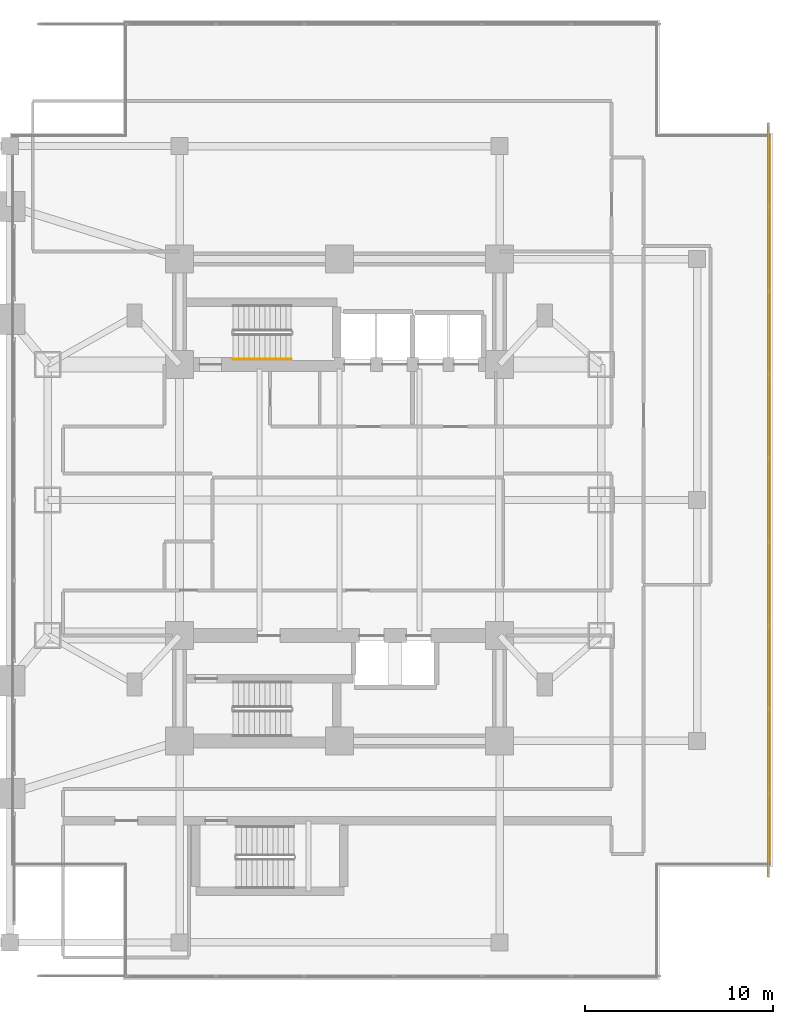
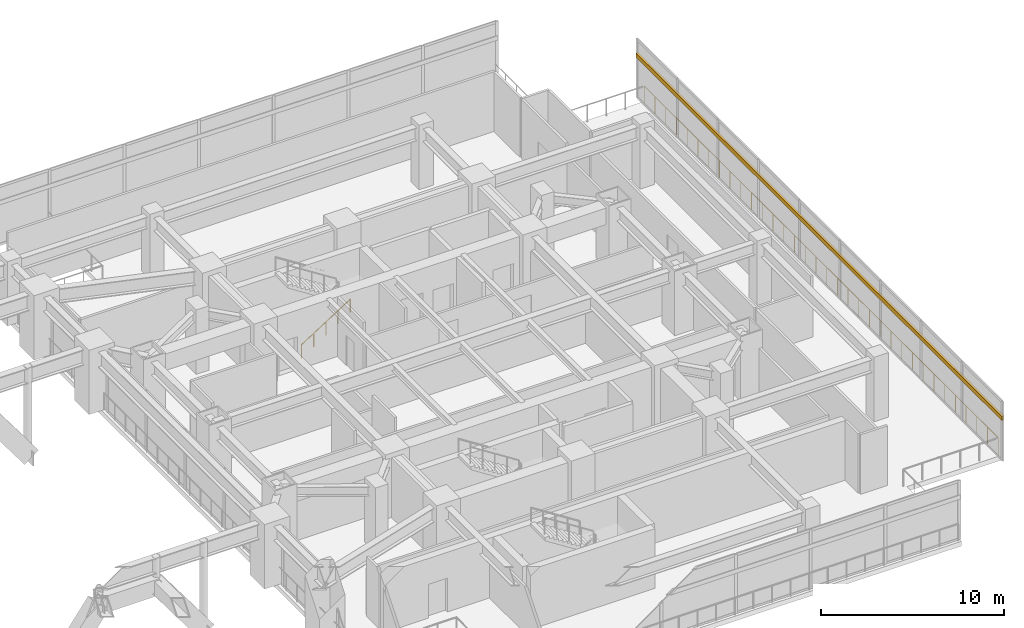
# One storey, part 28 of 30: 2 railings, 1 shading device.
"""IFC4 building model written with IfcOpenShell, lengths in metres."""

from ifc_helpers import new_model, si_unit, direction, frame, origin, origin_2d, place, context, subcontext, project, spatial, rectangle, circle, extrude, material, material_profile, profile_set, type_object, element, save


model = new_model("IFC4")

# Units and contexts
model_context = context("Model", 3, precision=1e-05, world=origin(), true_north=direction((0.0, 1.0)))
body_context = subcontext(model_context, "Body", "Model", "MODEL_VIEW")
ifc_project = project(units=[si_unit("LENGTHUNIT", "METRE"), si_unit("AREAUNIT", "SQUARE_METRE"), si_unit("VOLUMEUNIT", "CUBIC_METRE"), si_unit("PLANEANGLEUNIT", "RADIAN"), si_unit("MASSUNIT", "GRAM", prefix="KILO")], contexts=[model_context])

# Site, building, storey
site_placement = place(None, origin())
site = spatial("IfcSite", under=ifc_project, at=site_placement, CompositionType="ELEMENT")
building_placement = place(site_placement, origin())
building = spatial("IfcBuilding", under=site, at=building_placement, Name="Mirazonda Arch Towers", CompositionType="ELEMENT")
storey_placement = place(building_placement, frame((0.0, 0.0, 9.5)))
storey = spatial("IfcBuildingStorey", under=building, at=storey_placement, Name="L02", CompositionType="ELEMENT", Elevation=9.5)

# Shading device
ifc_material_1 = material(Name="Kiln-Fired Architectural Terracotta", Category="masonry")
ifc_material_profile = material_profile(ifc_material_1, rectangle(XDim=0.139892578125, YDim=0.280029296875, at=origin_2d()), Name="TERRA-BAG-140x280")
ifc_profile_set = profile_set([ifc_material_profile], Name="Kiln-Fired Architectural Terracotta")
shading_device_type = type_object("IfcShadingDeviceType", Name="BAGUETTE-3", PredefinedType="USERDEFINED", material=ifc_profile_set)
shading_device_placement = place(storey_placement, frame((99.280029296875, 8.0, 2.851318359375), z_axis=(0.0, 1.0, 0.0), x_axis=(-1.0, 0.0, 0.0)))
element("IfcShadingDevice", 1, at=shading_device_placement, inside=storey, type_object=shading_device_type, Name="L02 Glazed Terracotta Sun-Screen Baguette CW-L02-EE", ObjectType="BAGUETTE", PredefinedType="USERDEFINED", context=body_context, shape_type="SweptSolid", body=[
    extrude(rectangle(XDim=0.139892578125, YDim=0.280029296875, at=origin_2d()), origin(), (0.0, 0.0, 1.0), 40.0),
])

# Railings
ifc_material_2 = material(Name="Architectural Brushed Steel S355", Category="steel")
railing_type_1 = type_object("IfcRailingType", Name="GUARD-EXT-1150", PredefinedType="GUARDRAIL", material=ifc_material_2)
railing_1_placement = place(storey_placement, frame((99.360107421875, 8.639892578125, 0.0)))
element("IfcRailing", 2, at=railing_1_placement, inside=storey, type_object=railing_type_1, Name="L02 L02 East Podium Perimeter Guard 04", PredefinedType="GUARDRAIL", context=body_context, shape_type="SweptSolid", body=[
    extrude(circle(Radius=0.02392578125, at=origin_2d()), frame((0.0, 0.0, 1.1259765625), z_axis=(0.0, 1.0, 0.0), x_axis=(-1.0, 0.0, 0.0)), (0.0, 0.0, 1.0), 38.72021484375),
    extrude(circle(Radius=0.02099609375, at=origin_2d()), origin(), (0.0, 0.0, 1.0), 1.101806640625),
    extrude(circle(Radius=0.02099609375, at=origin_2d()), frame((0.0, 1.17333984375, 0.0)), (0.0, 0.0, 1.0), 1.101806640625),
    extrude(circle(Radius=0.02099609375, at=origin_2d()), frame((0.0, 2.3466796875, 0.0)), (0.0, 0.0, 1.0), 1.101806640625),
    extrude(circle(Radius=0.02099609375, at=origin_2d()), frame((0.0, 3.52001953125, 0.0)), (0.0, 0.0, 1.0), 1.101806640625),
    extrude(circle(Radius=0.02099609375, at=origin_2d()), frame((0.0, 4.693359375, 0.0)), (0.0, 0.0, 1.0), 1.101806640625),
    extrude(circle(Radius=0.02099609375, at=origin_2d()), frame((0.0, 5.86669921875, 0.0)), (0.0, 0.0, 1.0), 1.101806640625),
    extrude(circle(Radius=0.02099609375, at=origin_2d()), frame((0.0, 7.0400390625, 0.0)), (0.0, 0.0, 1.0), 1.101806640625),
    extrude(circle(Radius=0.02099609375, at=origin_2d()), frame((0.0, 8.21337890625, 0.0)), (0.0, 0.0, 1.0), 1.101806640625),
    extrude(circle(Radius=0.02099609375, at=origin_2d()), frame((0.0, 9.38671875, 0.0)), (0.0, 0.0, 1.0), 1.101806640625),
    extrude(circle(Radius=0.02099609375, at=origin_2d()), frame((0.0, 10.56005859375, 0.0)), (0.0, 0.0, 1.0), 1.101806640625),
    extrude(circle(Radius=0.02099609375, at=origin_2d()), frame((0.0, 11.7333984375, 0.0)), (0.0, 0.0, 1.0), 1.101806640625),
    extrude(circle(Radius=0.02099609375, at=origin_2d()), frame((0.0, 12.90673828125, 0.0)), (0.0, 0.0, 1.0), 1.101806640625),
    extrude(circle(Radius=0.02099609375, at=origin_2d()), frame((0.0, 14.080078125, 0.0)), (0.0, 0.0, 1.0), 1.101806640625),
    extrude(circle(Radius=0.02099609375, at=origin_2d()), frame((0.0, 15.25341796875, 0.0)), (0.0, 0.0, 1.0), 1.101806640625),
    extrude(circle(Radius=0.02099609375, at=origin_2d()), frame((0.0, 16.4267578125, 0.0)), (0.0, 0.0, 1.0), 1.101806640625),
    extrude(circle(Radius=0.02099609375, at=origin_2d()), frame((0.0, 17.60009765625, 0.0)), (0.0, 0.0, 1.0), 1.101806640625),
    extrude(circle(Radius=0.02099609375, at=origin_2d()), frame((0.0, 18.7734375, 0.0)), (0.0, 0.0, 1.0), 1.101806640625),
    extrude(circle(Radius=0.02099609375, at=origin_2d()), frame((0.0, 19.94677734375, 0.0)), (0.0, 0.0, 1.0), 1.101806640625),
    extrude(circle(Radius=0.02099609375, at=origin_2d()), frame((0.0, 21.1201171875, 0.0)), (0.0, 0.0, 1.0), 1.101806640625),
    extrude(circle(Radius=0.02099609375, at=origin_2d()), frame((0.0, 22.29345703125, 0.0)), (0.0, 0.0, 1.0), 1.101806640625),
    extrude(circle(Radius=0.02099609375, at=origin_2d()), frame((0.0, 23.466796875, 0.0)), (0.0, 0.0, 1.0), 1.101806640625),
    extrude(circle(Radius=0.02099609375, at=origin_2d()), frame((0.0, 24.64013671875, 0.0)), (0.0, 0.0, 1.0), 1.101806640625),
    extrude(circle(Radius=0.02099609375, at=origin_2d()), frame((0.0, 25.8134765625, 0.0)), (0.0, 0.0, 1.0), 1.101806640625),
    extrude(circle(Radius=0.02099609375, at=origin_2d()), frame((0.0, 26.98681640625, 0.0)), (0.0, 0.0, 1.0), 1.101806640625),
    extrude(circle(Radius=0.02099609375, at=origin_2d()), frame((0.0, 28.16015625, 0.0)), (0.0, 0.0, 1.0), 1.101806640625),
    extrude(circle(Radius=0.02099609375, at=origin_2d()), frame((0.0, 29.33349609375, 0.0)), (0.0, 0.0, 1.0), 1.101806640625),
    extrude(circle(Radius=0.02099609375, at=origin_2d()), frame((0.0, 30.5068359375, 0.0)), (0.0, 0.0, 1.0), 1.101806640625),
    extrude(circle(Radius=0.02099609375, at=origin_2d()), frame((0.0, 31.68017578125, 0.0)), (0.0, 0.0, 1.0), 1.101806640625),
    extrude(circle(Radius=0.02099609375, at=origin_2d()), frame((0.0, 32.853515625, 0.0)), (0.0, 0.0, 1.0), 1.101806640625),
    extrude(circle(Radius=0.02099609375, at=origin_2d()), frame((0.0, 34.02685546875, 0.0)), (0.0, 0.0, 1.0), 1.101806640625),
    extrude(circle(Radius=0.02099609375, at=origin_2d()), frame((0.0, 35.2001953125, 0.0)), (0.0, 0.0, 1.0), 1.101806640625),
    extrude(circle(Radius=0.02099609375, at=origin_2d()), frame((0.0, 36.37353515625, 0.0)), (0.0, 0.0, 1.0), 1.101806640625),
    extrude(circle(Radius=0.02099609375, at=origin_2d()), frame((0.0, 37.546875, 0.0)), (0.0, 0.0, 1.0), 1.101806640625),
    extrude(circle(Radius=0.02099609375, at=origin_2d()), frame((0.0, 38.72021484375, 0.0)), (0.0, 0.0, 1.0), 1.101806640625),
])
railing_type_2 = type_object("IfcRailingType", Name="HANDRAIL-915", PredefinedType="HANDRAIL", material=ifc_material_2)
railing_2_placement = place(storey_placement, frame((70.85009765625, 35.469970703125, 0.17919921875)))
element("IfcRailing", 3, at=railing_2_placement, inside=storey, type_object=railing_type_2, Name="L02 ST-T2N stair handrail 1", PredefinedType="HANDRAIL", context=body_context, shape_type="SweptSolid", body=[
    extrude(circle(Radius=0.02392578125, at=origin_2d()), frame((0.0, 0.0, 0.8759765625), z_axis=(0.842319903074, 0.0, 0.538977903893), x_axis=(0.0, 1.0, 0.0)), (0.0, 0.0, 1.0), 3.65625),
    extrude(circle(Radius=0.02099609375, at=origin_2d()), origin(), (0.0, 0.0, 1.0), 0.851806640625),
    extrude(circle(Radius=0.02099609375, at=origin_2d()), frame((0.77001953125, 0.0, 0.49267578125)), (0.0, 0.0, 1.0), 0.851806640625),
    extrude(circle(Radius=0.02099609375, at=origin_2d()), frame((1.5400390625, 0.0, 0.9853515625)), (0.0, 0.0, 1.0), 0.851806640625),
    extrude(circle(Radius=0.02099609375, at=origin_2d()), frame((2.309814453125, 0.0, 1.47802734375)), (0.0, 0.0, 1.0), 0.851806640625),
    extrude(circle(Radius=0.02099609375, at=origin_2d()), frame((3.079833984375, 0.0, 1.970703125)), (0.0, 0.0, 1.0), 0.851806640625),
])

save(model, "model.ifc")
